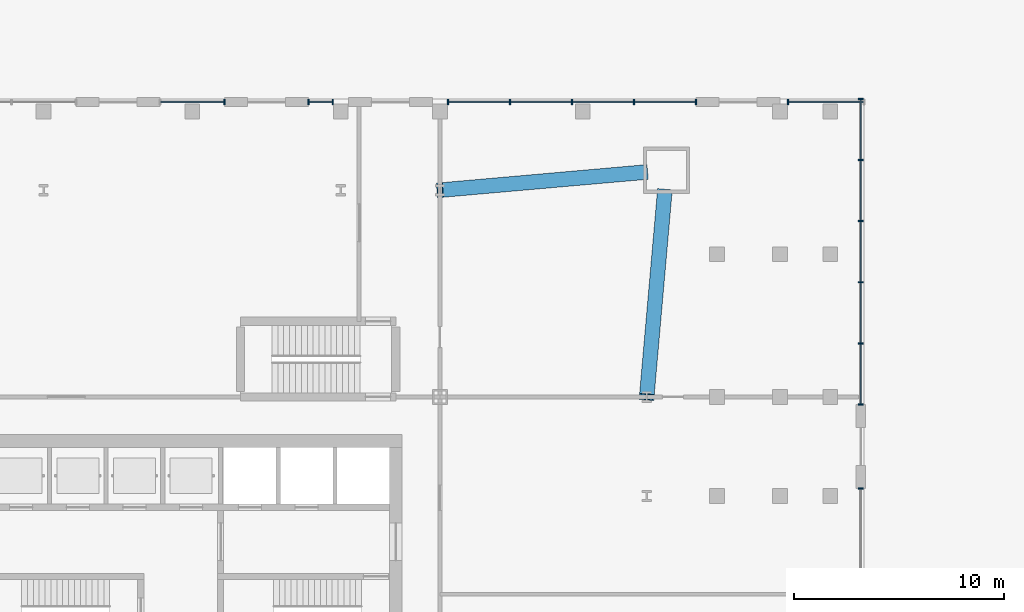
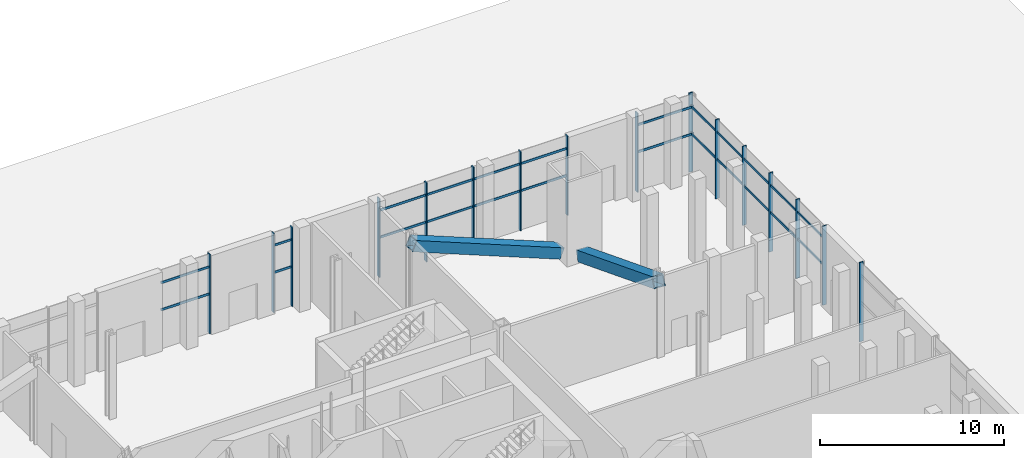
# One storey, part 6 of 27: 42 members, 6 elements without a shape of their own.
"""IFC4 building model written with IfcOpenShell, lengths in metres."""

from ifc_helpers import new_model, si_unit, direction, frame, origin, origin_2d, place, context, subcontext, project, spatial, rectangle, hollow_rectangle, extrude, material, material_profile, profile_set, type_object, element, aggregate, save


model = new_model("IFC4")

# Units and contexts
model_context = context("Model", 3, precision=1e-05, world=origin(), true_north=direction((0.0, 1.0)))
body_context = subcontext(model_context, "Body", "Model", "MODEL_VIEW")
ifc_project = project(units=[si_unit("LENGTHUNIT", "METRE"), si_unit("AREAUNIT", "SQUARE_METRE"), si_unit("VOLUMEUNIT", "CUBIC_METRE"), si_unit("PLANEANGLEUNIT", "RADIAN"), si_unit("MASSUNIT", "GRAM", prefix="KILO")], contexts=[model_context])

# Site, building, storey
site_placement = place(None, origin())
site = spatial("IfcSite", under=ifc_project, at=site_placement, CompositionType="ELEMENT")
building_placement = place(site_placement, origin())
building = spatial("IfcBuilding", under=site, at=building_placement, Name="Turquesa Mirador Hotel Tower", CompositionType="ELEMENT")
storey_placement = place(building_placement, origin())
storey = spatial("IfcBuildingStorey", under=building, at=storey_placement, Name="L00", CompositionType="ELEMENT", Elevation=0.0)

# Curtain wall, member
ifc_material_1 = material(Name="Aluminium extrusion", Category="aluminium")
curtain_wall_type = type_object("IfcCurtainWallType", Name="CW-1 LOBBY CURTAIN WALL", PredefinedType="USERDEFINED", material=ifc_material_1)
curtain_wall_1_placement = place(storey_placement, origin())
curtain_wall_1 = element("IfcCurtainWall", 1, at=curtain_wall_1_placement, inside=storey, type_object=curtain_wall_type, Name="CW-1 LOBBY CURTAIN WALL L00", ObjectType="CURTAIN WALL", PredefinedType="USERDEFINED")
ifc_material_2 = material(Name="Aluminium extrusion", Category="aluminium")
ifc_material_profile_1 = material_profile(ifc_material_2, rectangle(XDim=0.06494140625, YDim=0.25, at=origin_2d()), Name="MULLION 65X250")
ifc_profile_set_1 = profile_set([ifc_material_profile_1], Name="Aluminium extrusion")
member_type_1 = type_object("IfcMemberType", Name="CW MULLION 65X250", PredefinedType="MULLION", material=ifc_profile_set_1)
member_1_placement = place(storey_placement, frame((86.85009765625, 52.43994140625, 0.0), z_axis=(0.0, 0.0, 1.0), x_axis=(0.0, 1.0, 0.0)))
member_1 = element("IfcMember", 2, at=member_1_placement, type_object=member_type_1, Name="Mullion", PredefinedType="MULLION", context=body_context, shape_type="SweptSolid", body=[
    extrude(rectangle(XDim=0.06494140625, YDim=0.25, at=origin_2d()), origin(), (0.0, 0.0, 1.0), 5.25),
])
aggregate(curtain_wall_1, [member_1])

# Curtain wall, members
curtain_wall_2_placement = place(storey_placement, origin())
curtain_wall_2 = element("IfcCurtainWall", 3, at=curtain_wall_2_placement, inside=storey, type_object=curtain_wall_type, Name="CW-1 LOBBY CURTAIN WALL L00", ObjectType="CURTAIN WALL", PredefinedType="USERDEFINED")
member_2_placement = place(storey_placement, frame((86.85009765625, 56.43994140625, 0.0), z_axis=(0.0, 0.0, 1.0), x_axis=(0.0, 1.0, 0.0)))
member_2 = element("IfcMember", 4, at=member_2_placement, type_object=member_type_1, Name="Mullion", PredefinedType="MULLION", context=body_context, shape_type="SweptSolid", body=[
    extrude(rectangle(XDim=0.06494140625, YDim=0.25, at=origin_2d()), origin(), (0.0, 0.0, 1.0), 5.25),
])
member_3_placement = place(storey_placement, frame((86.85009765625, 59.35205078125, 0.0), z_axis=(0.0, 0.0, 1.0), x_axis=(0.0, 1.0, 0.0)))
member_3 = element("IfcMember", 5, at=member_3_placement, type_object=member_type_1, Name="Mullion", PredefinedType="MULLION", context=body_context, shape_type="SweptSolid", body=[
    extrude(rectangle(XDim=0.06494140625, YDim=0.25, at=origin_2d()), origin(), (0.0, 0.0, 1.0), 5.25),
])
member_4_placement = place(storey_placement, frame((86.85009765625, 62.263916015625, 0.0), z_axis=(0.0, 0.0, 1.0), x_axis=(0.0, 1.0, 0.0)))
member_4 = element("IfcMember", 6, at=member_4_placement, type_object=member_type_1, Name="Mullion", PredefinedType="MULLION", context=body_context, shape_type="SweptSolid", body=[
    extrude(rectangle(XDim=0.06494140625, YDim=0.25, at=origin_2d()), origin(), (0.0, 0.0, 1.0), 5.25),
])
member_5_placement = place(storey_placement, frame((86.85009765625, 65.176025390625, 0.0), z_axis=(0.0, 0.0, 1.0), x_axis=(0.0, 1.0, 0.0)))
member_5 = element("IfcMember", 7, at=member_5_placement, type_object=member_type_1, Name="Mullion", PredefinedType="MULLION", context=body_context, shape_type="SweptSolid", body=[
    extrude(rectangle(XDim=0.06494140625, YDim=0.25, at=origin_2d()), origin(), (0.0, 0.0, 1.0), 5.25),
])
member_6_placement = place(storey_placement, frame((86.85009765625, 68.087890625, 0.0), z_axis=(0.0, 0.0, 1.0), x_axis=(0.0, 1.0, 0.0)))
member_6 = element("IfcMember", 8, at=member_6_placement, type_object=member_type_1, Name="Mullion", PredefinedType="MULLION", context=body_context, shape_type="SweptSolid", body=[
    extrude(rectangle(XDim=0.06494140625, YDim=0.25, at=origin_2d()), origin(), (0.0, 0.0, 1.0), 5.25),
])
member_7_placement = place(storey_placement, frame((86.85009765625, 71.0, 0.0), z_axis=(0.0, 0.0, 1.0), x_axis=(0.0, 1.0, 0.0)))
member_7 = element("IfcMember", 9, at=member_7_placement, type_object=member_type_1, Name="Mullion", PredefinedType="MULLION", context=body_context, shape_type="SweptSolid", body=[
    extrude(rectangle(XDim=0.06494140625, YDim=0.25, at=origin_2d()), origin(), (0.0, 0.0, 1.0), 5.25),
])

# Curtain wall, member
curtain_wall_3_placement = place(storey_placement, origin())
curtain_wall_3 = element("IfcCurtainWall", 10, at=curtain_wall_3_placement, inside=storey, type_object=curtain_wall_type, Name="CW-1 LOBBY CURTAIN WALL L00", ObjectType="CURTAIN WALL", PredefinedType="USERDEFINED")
member_8_placement = place(storey_placement, frame((83.384521484375, 70.85009765625, 0.0), z_axis=(0.0, 0.0, 1.0), x_axis=(-1.0, 0.0, 0.0)))
member_8 = element("IfcMember", 11, at=member_8_placement, type_object=member_type_1, Name="Mullion", PredefinedType="MULLION", context=body_context, shape_type="SweptSolid", body=[
    extrude(rectangle(XDim=0.06494140625, YDim=0.25, at=origin_2d()), origin(), (0.0, 0.0, 1.0), 5.25),
])

# Curtain wall, members
curtain_wall_4_placement = place(storey_placement, origin())
curtain_wall_4 = element("IfcCurtainWall", 12, at=curtain_wall_4_placement, inside=storey, type_object=curtain_wall_type, Name="CW-1 LOBBY CURTAIN WALL L00", ObjectType="CURTAIN WALL", PredefinedType="USERDEFINED")
member_9_placement = place(storey_placement, frame((79.0, 70.85009765625, 0.0), z_axis=(0.0, 0.0, 1.0), x_axis=(-1.0, 0.0, 0.0)))
member_9 = element("IfcMember", 13, at=member_9_placement, type_object=member_type_1, Name="Mullion", PredefinedType="MULLION", context=body_context, shape_type="SweptSolid", body=[
    extrude(rectangle(XDim=0.06494140625, YDim=0.25, at=origin_2d()), origin(), (0.0, 0.0, 1.0), 5.25),
])
member_10_placement = place(storey_placement, frame((76.046142578125, 70.85009765625, 0.0), z_axis=(0.0, 0.0, 1.0), x_axis=(-1.0, 0.0, 0.0)))
member_10 = element("IfcMember", 14, at=member_10_placement, type_object=member_type_1, Name="Mullion", PredefinedType="MULLION", context=body_context, shape_type="SweptSolid", body=[
    extrude(rectangle(XDim=0.06494140625, YDim=0.25, at=origin_2d()), origin(), (0.0, 0.0, 1.0), 5.25),
])
member_11_placement = place(storey_placement, frame((73.09228515625, 70.85009765625, 0.0), z_axis=(0.0, 0.0, 1.0), x_axis=(-1.0, 0.0, 0.0)))
member_11 = element("IfcMember", 15, at=member_11_placement, type_object=member_type_1, Name="Mullion", PredefinedType="MULLION", context=body_context, shape_type="SweptSolid", body=[
    extrude(rectangle(XDim=0.06494140625, YDim=0.25, at=origin_2d()), origin(), (0.0, 0.0, 1.0), 5.25),
])
member_12_placement = place(storey_placement, frame((70.138427734375, 70.85009765625, 0.0), z_axis=(0.0, 0.0, 1.0), x_axis=(-1.0, 0.0, 0.0)))
member_12 = element("IfcMember", 16, at=member_12_placement, type_object=member_type_1, Name="Mullion", PredefinedType="MULLION", context=body_context, shape_type="SweptSolid", body=[
    extrude(rectangle(XDim=0.06494140625, YDim=0.25, at=origin_2d()), origin(), (0.0, 0.0, 1.0), 5.25),
])
member_13_placement = place(storey_placement, frame((67.1845703125, 70.85009765625, 0.0), z_axis=(0.0, 0.0, 1.0), x_axis=(-1.0, 0.0, 0.0)))
member_13 = element("IfcMember", 17, at=member_13_placement, type_object=member_type_1, Name="Mullion", PredefinedType="MULLION", context=body_context, shape_type="SweptSolid", body=[
    extrude(rectangle(XDim=0.06494140625, YDim=0.25, at=origin_2d()), origin(), (0.0, 0.0, 1.0), 5.25),
])

curtain_wall_5_placement = place(storey_placement, origin())
curtain_wall_5 = element("IfcCurtainWall", 18, at=curtain_wall_5_placement, inside=storey, type_object=curtain_wall_type, Name="CW-1 LOBBY CURTAIN WALL L00", ObjectType="CURTAIN WALL", PredefinedType="USERDEFINED")
member_14_placement = place(storey_placement, frame((61.695556640625, 70.85009765625, 0.0), z_axis=(0.0, 0.0, 1.0), x_axis=(-1.0, 0.0, 0.0)))
member_14 = element("IfcMember", 19, at=member_14_placement, type_object=member_type_1, Name="Mullion", PredefinedType="MULLION", context=body_context, shape_type="SweptSolid", body=[
    extrude(rectangle(XDim=0.06494140625, YDim=0.25, at=origin_2d()), origin(), (0.0, 0.0, 1.0), 5.25),
])
member_15_placement = place(storey_placement, frame((60.5400390625, 70.85009765625, 0.0), z_axis=(0.0, 0.0, 1.0), x_axis=(-1.0, 0.0, 0.0)))
member_15 = element("IfcMember", 20, at=member_15_placement, type_object=member_type_1, Name="Mullion", PredefinedType="MULLION", context=body_context, shape_type="SweptSolid", body=[
    extrude(rectangle(XDim=0.06494140625, YDim=0.25, at=origin_2d()), origin(), (0.0, 0.0, 1.0), 5.25),
])

# Curtain wall, member
curtain_wall_6_placement = place(storey_placement, origin())
curtain_wall_6 = element("IfcCurtainWall", 21, at=curtain_wall_6_placement, inside=storey, type_object=curtain_wall_type, Name="CW-1 LOBBY CURTAIN WALL L00", ObjectType="CURTAIN WALL", PredefinedType="USERDEFINED")
member_16_placement = place(storey_placement, frame((56.5400390625, 70.85009765625, 0.0), z_axis=(0.0, 0.0, 1.0), x_axis=(-1.0, 0.0, 0.0)))
member_16 = element("IfcMember", 22, at=member_16_placement, type_object=member_type_1, Name="Mullion", PredefinedType="MULLION", context=body_context, shape_type="SweptSolid", body=[
    extrude(rectangle(XDim=0.06494140625, YDim=0.25, at=origin_2d()), origin(), (0.0, 0.0, 1.0), 5.25),
])

# Member
ifc_material_3 = material(Name="Aluminium extrusion", Category="aluminium")
ifc_material_profile_2 = material_profile(ifc_material_3, rectangle(XDim=0.06494140625, YDim=0.14990234375, at=origin_2d()), Name="TRANSOM 65X150")
ifc_profile_set_2 = profile_set([ifc_material_profile_2], Name="Aluminium extrusion")
member_type_2 = type_object("IfcMemberType", Name="CW TRANSOM 65X150", PredefinedType="USERDEFINED", material=ifc_profile_set_2)
member_17_placement = place(storey_placement, frame((86.85009765625, 56.472412109375, 2.60009765625), z_axis=(0.0, 1.0, 0.0), x_axis=(-1.0, 0.0, 0.0)))
member_17 = element("IfcMember", 23, at=member_17_placement, type_object=member_type_2, Name="Transom", ObjectType="TRANSOM", PredefinedType="USERDEFINED", context=body_context, shape_type="SweptSolid", body=[
    extrude(rectangle(XDim=0.06494140625, YDim=0.14990234375, at=origin_2d()), origin(), (0.0, 0.0, 1.0), 2.84716796875),
])

member_18_placement = place(storey_placement, frame((86.85009765625, 56.472412109375, 4.39990234375), z_axis=(0.0, 1.0, 0.0), x_axis=(-1.0, 0.0, 0.0)))
member_18 = element("IfcMember", 24, at=member_18_placement, type_object=member_type_2, Name="Transom", ObjectType="TRANSOM", PredefinedType="USERDEFINED", context=body_context, shape_type="SweptSolid", body=[
    extrude(rectangle(XDim=0.06494140625, YDim=0.14990234375, at=origin_2d()), origin(), (0.0, 0.0, 1.0), 2.84716796875),
])

member_19_placement = place(storey_placement, frame((86.85009765625, 59.384521484375, 2.60009765625), z_axis=(0.0, 1.0, 0.0), x_axis=(-1.0, 0.0, 0.0)))
member_19 = element("IfcMember", 25, at=member_19_placement, type_object=member_type_2, Name="Transom", ObjectType="TRANSOM", PredefinedType="USERDEFINED", context=body_context, shape_type="SweptSolid", body=[
    extrude(rectangle(XDim=0.06494140625, YDim=0.14990234375, at=origin_2d()), origin(), (0.0, 0.0, 1.0), 2.846923828125),
])

member_20_placement = place(storey_placement, frame((86.85009765625, 59.384521484375, 4.39990234375), z_axis=(0.0, 1.0, 0.0), x_axis=(-1.0, 0.0, 0.0)))
member_20 = element("IfcMember", 26, at=member_20_placement, type_object=member_type_2, Name="Transom", ObjectType="TRANSOM", PredefinedType="USERDEFINED", context=body_context, shape_type="SweptSolid", body=[
    extrude(rectangle(XDim=0.06494140625, YDim=0.14990234375, at=origin_2d()), origin(), (0.0, 0.0, 1.0), 2.846923828125),
])

member_21_placement = place(storey_placement, frame((86.85009765625, 62.29638671875, 2.60009765625), z_axis=(0.0, 1.0, 0.0), x_axis=(-1.0, 0.0, 0.0)))
member_21 = element("IfcMember", 27, at=member_21_placement, type_object=member_type_2, Name="Transom", ObjectType="TRANSOM", PredefinedType="USERDEFINED", context=body_context, shape_type="SweptSolid", body=[
    extrude(rectangle(XDim=0.06494140625, YDim=0.14990234375, at=origin_2d()), origin(), (0.0, 0.0, 1.0), 2.84716796875),
])

member_22_placement = place(storey_placement, frame((86.85009765625, 62.29638671875, 4.39990234375), z_axis=(0.0, 1.0, 0.0), x_axis=(-1.0, 0.0, 0.0)))
member_22 = element("IfcMember", 28, at=member_22_placement, type_object=member_type_2, Name="Transom", ObjectType="TRANSOM", PredefinedType="USERDEFINED", context=body_context, shape_type="SweptSolid", body=[
    extrude(rectangle(XDim=0.06494140625, YDim=0.14990234375, at=origin_2d()), origin(), (0.0, 0.0, 1.0), 2.84716796875),
])

member_23_placement = place(storey_placement, frame((86.85009765625, 65.20849609375, 2.60009765625), z_axis=(0.0, 1.0, 0.0), x_axis=(-1.0, 0.0, 0.0)))
member_23 = element("IfcMember", 29, at=member_23_placement, type_object=member_type_2, Name="Transom", ObjectType="TRANSOM", PredefinedType="USERDEFINED", context=body_context, shape_type="SweptSolid", body=[
    extrude(rectangle(XDim=0.06494140625, YDim=0.14990234375, at=origin_2d()), origin(), (0.0, 0.0, 1.0), 2.846923828125),
])

member_24_placement = place(storey_placement, frame((86.85009765625, 65.20849609375, 4.39990234375), z_axis=(0.0, 1.0, 0.0), x_axis=(-1.0, 0.0, 0.0)))
member_24 = element("IfcMember", 30, at=member_24_placement, type_object=member_type_2, Name="Transom", ObjectType="TRANSOM", PredefinedType="USERDEFINED", context=body_context, shape_type="SweptSolid", body=[
    extrude(rectangle(XDim=0.06494140625, YDim=0.14990234375, at=origin_2d()), origin(), (0.0, 0.0, 1.0), 2.846923828125),
])

member_25_placement = place(storey_placement, frame((86.85009765625, 68.12060546875, 2.60009765625), z_axis=(0.0, 1.0, 0.0), x_axis=(-1.0, 0.0, 0.0)))
member_25 = element("IfcMember", 31, at=member_25_placement, type_object=member_type_2, Name="Transom", ObjectType="TRANSOM", PredefinedType="USERDEFINED", context=body_context, shape_type="SweptSolid", body=[
    extrude(rectangle(XDim=0.06494140625, YDim=0.14990234375, at=origin_2d()), origin(), (0.0, 0.0, 1.0), 2.846923828125),
])

member_26_placement = place(storey_placement, frame((86.85009765625, 68.12060546875, 4.39990234375), z_axis=(0.0, 1.0, 0.0), x_axis=(-1.0, 0.0, 0.0)))
member_26 = element("IfcMember", 32, at=member_26_placement, type_object=member_type_2, Name="Transom", ObjectType="TRANSOM", PredefinedType="USERDEFINED", context=body_context, shape_type="SweptSolid", body=[
    extrude(rectangle(XDim=0.06494140625, YDim=0.14990234375, at=origin_2d()), origin(), (0.0, 0.0, 1.0), 2.846923828125),
])

aggregate(curtain_wall_2, [member_2, member_3, member_4, member_5, member_6, member_7, member_17, member_18, member_19, member_20, member_21, member_22, member_23, member_24, member_25, member_26])

member_27_placement = place(storey_placement, frame((86.967529296875, 70.85009765625, 2.60009765625), z_axis=(-1.0, 0.0, 0.0), x_axis=(0.0, -1.0, 0.0)))
member_27 = element("IfcMember", 33, at=member_27_placement, type_object=member_type_2, Name="Transom", ObjectType="TRANSOM", PredefinedType="USERDEFINED", context=body_context, shape_type="SweptSolid", body=[
    extrude(rectangle(XDim=0.06494140625, YDim=0.14990234375, at=origin_2d()), origin(), (0.0, 0.0, 1.0), 3.550537109375),
])

member_28_placement = place(storey_placement, frame((86.967529296875, 70.85009765625, 4.39990234375), z_axis=(-1.0, 0.0, 0.0), x_axis=(0.0, -1.0, 0.0)))
member_28 = element("IfcMember", 34, at=member_28_placement, type_object=member_type_2, Name="Transom", ObjectType="TRANSOM", PredefinedType="USERDEFINED", context=body_context, shape_type="SweptSolid", body=[
    extrude(rectangle(XDim=0.06494140625, YDim=0.14990234375, at=origin_2d()), origin(), (0.0, 0.0, 1.0), 3.550537109375),
])

aggregate(curtain_wall_3, [member_8, member_27, member_28])

member_29_placement = place(storey_placement, frame((78.967529296875, 70.85009765625, 2.60009765625), z_axis=(-1.0, 0.0, 0.0), x_axis=(0.0, -1.0, 0.0)))
member_29 = element("IfcMember", 35, at=member_29_placement, type_object=member_type_2, Name="Transom", ObjectType="TRANSOM", PredefinedType="USERDEFINED", context=body_context, shape_type="SweptSolid", body=[
    extrude(rectangle(XDim=0.06494140625, YDim=0.14990234375, at=origin_2d()), origin(), (0.0, 0.0, 1.0), 2.888916015625),
])

member_30_placement = place(storey_placement, frame((78.967529296875, 70.85009765625, 4.39990234375), z_axis=(-1.0, 0.0, 0.0), x_axis=(0.0, -1.0, 0.0)))
member_30 = element("IfcMember", 36, at=member_30_placement, type_object=member_type_2, Name="Transom", ObjectType="TRANSOM", PredefinedType="USERDEFINED", context=body_context, shape_type="SweptSolid", body=[
    extrude(rectangle(XDim=0.06494140625, YDim=0.14990234375, at=origin_2d()), origin(), (0.0, 0.0, 1.0), 2.888916015625),
])

member_31_placement = place(storey_placement, frame((76.013671875, 70.85009765625, 2.60009765625), z_axis=(-1.0, 0.0, 0.0), x_axis=(0.0, -1.0, 0.0)))
member_31 = element("IfcMember", 37, at=member_31_placement, type_object=member_type_2, Name="Transom", ObjectType="TRANSOM", PredefinedType="USERDEFINED", context=body_context, shape_type="SweptSolid", body=[
    extrude(rectangle(XDim=0.06494140625, YDim=0.14990234375, at=origin_2d()), origin(), (0.0, 0.0, 1.0), 2.888916015625),
])

member_32_placement = place(storey_placement, frame((76.013671875, 70.85009765625, 4.39990234375), z_axis=(-1.0, 0.0, 0.0), x_axis=(0.0, -1.0, 0.0)))
member_32 = element("IfcMember", 38, at=member_32_placement, type_object=member_type_2, Name="Transom", ObjectType="TRANSOM", PredefinedType="USERDEFINED", context=body_context, shape_type="SweptSolid", body=[
    extrude(rectangle(XDim=0.06494140625, YDim=0.14990234375, at=origin_2d()), origin(), (0.0, 0.0, 1.0), 2.888916015625),
])

member_33_placement = place(storey_placement, frame((73.059814453125, 70.85009765625, 2.60009765625), z_axis=(-1.0, 0.0, 0.0), x_axis=(0.0, -1.0, 0.0)))
member_33 = element("IfcMember", 39, at=member_33_placement, type_object=member_type_2, Name="Transom", ObjectType="TRANSOM", PredefinedType="USERDEFINED", context=body_context, shape_type="SweptSolid", body=[
    extrude(rectangle(XDim=0.06494140625, YDim=0.14990234375, at=origin_2d()), origin(), (0.0, 0.0, 1.0), 2.888916015625),
])

member_34_placement = place(storey_placement, frame((73.059814453125, 70.85009765625, 4.39990234375), z_axis=(-1.0, 0.0, 0.0), x_axis=(0.0, -1.0, 0.0)))
member_34 = element("IfcMember", 40, at=member_34_placement, type_object=member_type_2, Name="Transom", ObjectType="TRANSOM", PredefinedType="USERDEFINED", context=body_context, shape_type="SweptSolid", body=[
    extrude(rectangle(XDim=0.06494140625, YDim=0.14990234375, at=origin_2d()), origin(), (0.0, 0.0, 1.0), 2.888916015625),
])

member_35_placement = place(storey_placement, frame((70.10595703125, 70.85009765625, 2.60009765625), z_axis=(-1.0, 0.0, 0.0), x_axis=(0.0, -1.0, 0.0)))
member_35 = element("IfcMember", 41, at=member_35_placement, type_object=member_type_2, Name="Transom", ObjectType="TRANSOM", PredefinedType="USERDEFINED", context=body_context, shape_type="SweptSolid", body=[
    extrude(rectangle(XDim=0.06494140625, YDim=0.14990234375, at=origin_2d()), origin(), (0.0, 0.0, 1.0), 2.888916015625),
])

member_36_placement = place(storey_placement, frame((70.10595703125, 70.85009765625, 4.39990234375), z_axis=(-1.0, 0.0, 0.0), x_axis=(0.0, -1.0, 0.0)))
member_36 = element("IfcMember", 42, at=member_36_placement, type_object=member_type_2, Name="Transom", ObjectType="TRANSOM", PredefinedType="USERDEFINED", context=body_context, shape_type="SweptSolid", body=[
    extrude(rectangle(XDim=0.06494140625, YDim=0.14990234375, at=origin_2d()), origin(), (0.0, 0.0, 1.0), 2.888916015625),
])

aggregate(curtain_wall_4, [member_9, member_10, member_11, member_12, member_13, member_29, member_30, member_31, member_32, member_33, member_34, member_35, member_36])

member_37_placement = place(storey_placement, frame((61.6630859375, 70.85009765625, 2.60009765625), z_axis=(-1.0, 0.0, 0.0), x_axis=(0.0, -1.0, 0.0)))
member_37 = element("IfcMember", 43, at=member_37_placement, type_object=member_type_2, Name="Transom", ObjectType="TRANSOM", PredefinedType="USERDEFINED", context=body_context, shape_type="SweptSolid", body=[
    extrude(rectangle(XDim=0.06494140625, YDim=0.14990234375, at=origin_2d()), origin(), (0.0, 0.0, 1.0), 1.090576171875),
])

member_38_placement = place(storey_placement, frame((61.6630859375, 70.85009765625, 4.39990234375), z_axis=(-1.0, 0.0, 0.0), x_axis=(0.0, -1.0, 0.0)))
member_38 = element("IfcMember", 44, at=member_38_placement, type_object=member_type_2, Name="Transom", ObjectType="TRANSOM", PredefinedType="USERDEFINED", context=body_context, shape_type="SweptSolid", body=[
    extrude(rectangle(XDim=0.06494140625, YDim=0.14990234375, at=origin_2d()), origin(), (0.0, 0.0, 1.0), 1.090576171875),
])

aggregate(curtain_wall_5, [member_14, member_15, member_37, member_38])

member_39_placement = place(storey_placement, frame((56.507568359375, 70.85009765625, 2.60009765625), z_axis=(-1.0, 0.0, 0.0), x_axis=(0.0, -1.0, 0.0)))
member_39 = element("IfcMember", 45, at=member_39_placement, type_object=member_type_2, Name="Transom", ObjectType="TRANSOM", PredefinedType="USERDEFINED", context=body_context, shape_type="SweptSolid", body=[
    extrude(rectangle(XDim=0.06494140625, YDim=0.14990234375, at=origin_2d()), origin(), (0.0, 0.0, 1.0), 3.01513671875),
])

member_40_placement = place(storey_placement, frame((56.507568359375, 70.85009765625, 4.39990234375), z_axis=(-1.0, 0.0, 0.0), x_axis=(0.0, -1.0, 0.0)))
member_40 = element("IfcMember", 46, at=member_40_placement, type_object=member_type_2, Name="Transom", ObjectType="TRANSOM", PredefinedType="USERDEFINED", context=body_context, shape_type="SweptSolid", body=[
    extrude(rectangle(XDim=0.06494140625, YDim=0.14990234375, at=origin_2d()), origin(), (0.0, 0.0, 1.0), 3.01513671875),
])

aggregate(curtain_wall_6, [member_16, member_39, member_40])

# Members
ifc_material_4 = material(Name="Steel ASTM A572 Grade 50", Category="steel")
ifc_material_profile_3 = material_profile(ifc_material_4, hollow_rectangle(XDim=0.699951171875, YDim=0.699951171875, WallThickness=0.06005859375, at=origin_2d()), Name="BOX700X700X60")
ifc_profile_set_3 = profile_set([ifc_material_profile_3], Name="Steel ASTM A572 Grade 50")
member_type_3 = type_object("IfcMemberType", Name="PODIUM BRACE BOX700X700X60", PredefinedType="BRACE", material=ifc_profile_set_3)
for number, where, z_axis, x_axis, name in (
    (47, (76.550048828125, 67.507568359375, 0.476318359375), (-0.907748098081, -0.079850737895, 0.411846148566), (0.087627369437, -0.996153323603, 0.0), "Podium brace N"),
    (48, (77.507568359375, 66.550048828125, 0.476318359375), (-0.079850737895, -0.907748098081, 0.411846148566), (0.996153323603, -0.087627369437, 0.0), "Podium brace E"),
):
    element("IfcMember", number, at=place(storey_placement, frame(where, z_axis=z_axis, x_axis=x_axis)), inside=storey, type_object=member_type_3, Name=name, PredefinedType="BRACE", context=body_context, shape_type="SweptSolid", body=[
        extrude(hollow_rectangle(XDim=0.699951171875, YDim=0.699951171875, WallThickness=0.06005859375, at=origin_2d()), origin(), (0.0, 0.0, 1.0), 10.740966796875),
    ])

save(model, "model.ifc")
